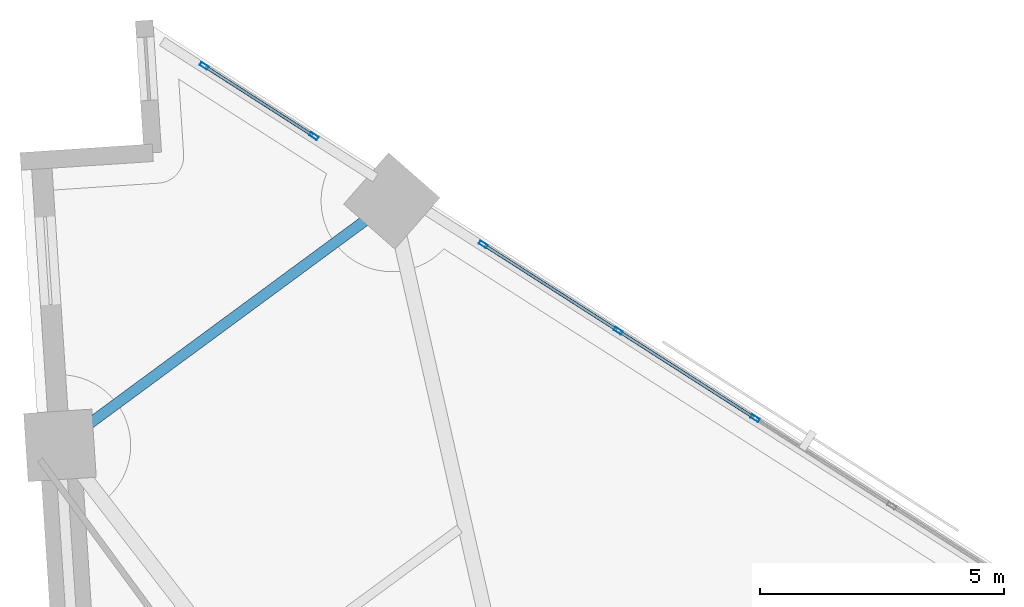
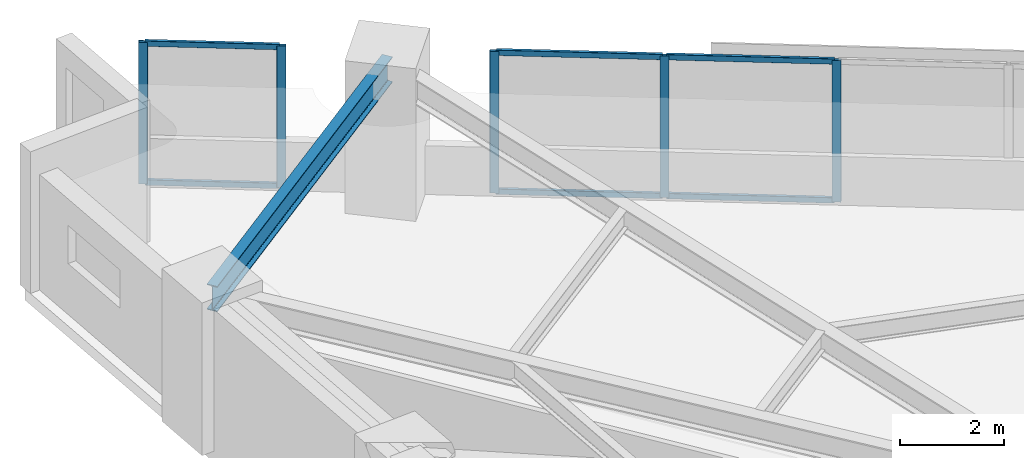
# One storey, part 9 of 16: 11 members, 1 beam, 2 elements without a shape of their own.
"""IFC4 building model written with IfcOpenShell, lengths in metres."""

from ifc_helpers import new_model, si_unit, direction, frame, origin, origin_2d, place, context, subcontext, project, spatial, hollow_rectangle, i_section, extrude, material, material_profile, profile_set, type_object, element, aggregate, save


model = new_model("IFC4")

# Units and contexts
model_context = context("Model", 3, precision=1e-05, world=origin(), true_north=direction((0.0, 1.0)))
body_context = subcontext(model_context, "Body", "Model", "MODEL_VIEW")
ifc_project = project(units=[si_unit("LENGTHUNIT", "METRE"), si_unit("AREAUNIT", "SQUARE_METRE"), si_unit("VOLUMEUNIT", "CUBIC_METRE"), si_unit("PLANEANGLEUNIT", "RADIAN"), si_unit("MASSUNIT", "GRAM", prefix="KILO")], contexts=[model_context])

# Site, building, storey
site_placement = place(None, origin())
site = spatial("IfcSite", under=ifc_project, at=site_placement, CompositionType="ELEMENT")
building_placement = place(site_placement, origin())
building = spatial("IfcBuilding", under=site, at=building_placement, Name="Narakoshi Arena Tower", CompositionType="ELEMENT")
storey_placement = place(building_placement, frame((0.0, 0.0, 88.5)))
storey = spatial("IfcBuildingStorey", under=building, at=storey_placement, Name="L23", CompositionType="ELEMENT", Elevation=88.5)

# Beam
ifc_material_1 = material(Name="Structural steel S355J2", Category="steel")
ifc_material_profile_1 = material_profile(ifc_material_1, i_section(OverallWidth=0.219970703125, OverallDepth=0.60009765625, WebThickness=0.011962890625, FlangeThickness=0.01904296875, FilletRadius=0.02392578125, at=origin_2d()), Name="IPE600")
ifc_profile_set_1 = profile_set([ifc_material_profile_1], Name="Structural steel S355J2")
beam_type = type_object("IfcBeamType", Name="BM-EDGE-600", PredefinedType="BEAM", material=ifc_profile_set_1)
beam_placement = place(storey_placement, frame((67.58984375, 76.04345703125, 3.0400390625), z_axis=(-0.805132069621, -0.59309556605, 0.0), x_axis=(0.59309556605, -0.805132069621, 0.0)))
element("IfcBeam", 1, at=beam_placement, inside=storey, type_object=beam_type, Name="L23 Perimeter Edge Girder 11", PredefinedType="BEAM", context=body_context, shape_type="SweptSolid", body=[
    extrude(i_section(OverallWidth=0.219970703125, OverallDepth=0.60009765625, WebThickness=0.011962890625, FlangeThickness=0.01904296875, FilletRadius=0.02392578125, at=origin_2d()), origin(), (0.0, 0.0, 1.0), 8.451416015625),
])

# Curtain wall, members
ifc_material_2 = material(Name="Anodised bronze aluminium 6063-T6", Category="aluminium")
curtain_wall_type = type_object("IfcCurtainWallType", Name="CW-HYP-LOW", PredefinedType="NOTDEFINED", material=ifc_material_2)
curtain_wall_1_placement = place(storey_placement, origin())
curtain_wall_1 = element("IfcCurtainWall", 2, at=curtain_wall_1_placement, inside=storey, type_object=curtain_wall_type, Name="L23 Folded Hypotenuse Curtain Wall 2-2", PredefinedType="NOTDEFINED")
ifc_material_profile_2 = material_profile(ifc_material_2, hollow_rectangle(XDim=0.074951171875, YDim=0.179931640625, WallThickness=0.00390625, OuterFilletRadius=0.0048828125, at=origin_2d()), Name="MUL180x75x4")
ifc_profile_set_2 = profile_set([ifc_material_profile_2], Name="Anodised bronze aluminium 6063-T6")
member_type_1 = type_object("IfcMemberType", Name="MEM-MUL-180", PredefinedType="MULLION", material=ifc_profile_set_2)
member_1_placement = place(storey_placement, frame((75.039794921875, 71.5869140625, 0.0), z_axis=(0.0, 0.0, 1.0), x_axis=(-0.538829098714, -0.842415100992, 0.0)))
member_1 = element("IfcMember", 3, at=member_1_placement, type_object=member_type_1, Name="CW-01 mullion 4", PredefinedType="MULLION", context=body_context, shape_type="SweptSolid", body=[
    extrude(hollow_rectangle(XDim=0.074951171875, YDim=0.179931640625, WallThickness=0.00390625, OuterFilletRadius=0.0048828125, at=origin_2d()), origin(), (0.0, 0.0, 1.0), 3.340087890625),
])
member_2_placement = place(storey_placement, frame((72.236083984375, 73.380126953125, 0.0), z_axis=(0.0, 0.0, 1.0), x_axis=(-0.538829098714, -0.842415100992, 0.0)))
member_2 = element("IfcMember", 4, at=member_2_placement, type_object=member_type_1, Name="CW-01 mullion 5", PredefinedType="MULLION", context=body_context, shape_type="SweptSolid", body=[
    extrude(hollow_rectangle(XDim=0.074951171875, YDim=0.179931640625, WallThickness=0.00390625, OuterFilletRadius=0.0048828125, at=origin_2d()), origin(), (0.0, 0.0, 1.0), 3.340087890625),
])
member_3_placement = place(storey_placement, frame((69.464111328125, 75.1533203125, 0.0), z_axis=(0.0, 0.0, 1.0), x_axis=(-0.538829098714, -0.842415100992, 0.0)))
member_3 = element("IfcMember", 5, at=member_3_placement, type_object=member_type_1, Name="CW-01 mullion 6", PredefinedType="MULLION", context=body_context, shape_type="SweptSolid", body=[
    extrude(hollow_rectangle(XDim=0.074951171875, YDim=0.179931640625, WallThickness=0.00390625, OuterFilletRadius=0.0048828125, at=origin_2d()), origin(), (0.0, 0.0, 1.0), 3.340087890625),
])

curtain_wall_2_placement = place(storey_placement, origin())
curtain_wall_2 = element("IfcCurtainWall", 6, at=curtain_wall_2_placement, inside=storey, type_object=curtain_wall_type, Name="L23 Folded Hypotenuse Curtain Wall 2-3", PredefinedType="NOTDEFINED")
member_4_placement = place(storey_placement, frame((65.99462890625, 77.372314453125, 0.0), z_axis=(0.0, 0.0, 1.0), x_axis=(-0.538841109017, -0.842407418791, 0.0)))
member_4 = element("IfcMember", 7, at=member_4_placement, type_object=member_type_1, Name="CW-01 mullion 1", PredefinedType="MULLION", context=body_context, shape_type="SweptSolid", body=[
    extrude(hollow_rectangle(XDim=0.074951171875, YDim=0.179931640625, WallThickness=0.00390625, OuterFilletRadius=0.0048828125, at=origin_2d()), origin(), (0.0, 0.0, 1.0), 3.340087890625),
])
member_5_placement = place(storey_placement, frame((63.7412109375, 78.813720703125, 0.0), z_axis=(0.0, 0.0, 1.0), x_axis=(-0.538841109017, -0.842407418791, 0.0)))
member_5 = element("IfcMember", 8, at=member_5_placement, type_object=member_type_1, Name="CW-01 mullion 2", PredefinedType="MULLION", context=body_context, shape_type="SweptSolid", body=[
    extrude(hollow_rectangle(XDim=0.074951171875, YDim=0.179931640625, WallThickness=0.00390625, OuterFilletRadius=0.0048828125, at=origin_2d()), origin(), (0.0, 0.0, 1.0), 3.340087890625),
])

# Member
ifc_material_profile_3 = material_profile(ifc_material_2, hollow_rectangle(XDim=0.06494140625, YDim=0.1298828125, WallThickness=0.00390625, OuterFilletRadius=0.0048828125, at=origin_2d()), Name="TRN130x65x4")
ifc_profile_set_3 = profile_set([ifc_material_profile_3], Name="Anodised bronze aluminium 6063-T6")
member_type_2 = type_object("IfcMemberType", Name="MEM-TRN-130", PredefinedType="USERDEFINED", material=ifc_profile_set_3)
member_6_placement = place(storey_placement, frame((75.00830078125, 71.60693359375, 0.032470703125), z_axis=(-0.842407668774, 0.5388407182, 0.0), x_axis=(-0.5388407182, -0.842407668774, 0.0)))
member_6 = element("IfcMember", 9, at=member_6_placement, type_object=member_type_2, Name="CW-01 transom 4.1", ObjectType="TRANSOM", PredefinedType="USERDEFINED", context=body_context, shape_type="SweptSolid", body=[
    extrude(hollow_rectangle(XDim=0.06494140625, YDim=0.1298828125, WallThickness=0.00390625, OuterFilletRadius=0.0048828125, at=origin_2d()), origin(), (0.0, 0.0, 1.0), 3.253173828125),
])

member_7_placement = place(storey_placement, frame((75.00830078125, 71.60693359375, 3.3076171875), z_axis=(-0.842407668774, 0.5388407182, 0.0), x_axis=(-0.5388407182, -0.842407668774, 0.0)))
member_7 = element("IfcMember", 10, at=member_7_placement, type_object=member_type_2, Name="CW-01 transom 4.2", ObjectType="TRANSOM", PredefinedType="USERDEFINED", context=body_context, shape_type="SweptSolid", body=[
    extrude(hollow_rectangle(XDim=0.06494140625, YDim=0.1298828125, WallThickness=0.00390625, OuterFilletRadius=0.0048828125, at=origin_2d()), origin(), (0.0, 0.0, 1.0), 3.253173828125),
])

member_8_placement = place(storey_placement, frame((72.20458984375, 73.400390625, 0.032470703125), z_axis=(-0.842424416084, 0.538814535053, 0.0), x_axis=(-0.538814535053, -0.842424416084, 0.0)))
member_8 = element("IfcMember", 11, at=member_8_placement, type_object=member_type_2, Name="CW-01 transom 5.1", ObjectType="TRANSOM", PredefinedType="USERDEFINED", context=body_context, shape_type="SweptSolid", body=[
    extrude(hollow_rectangle(XDim=0.06494140625, YDim=0.1298828125, WallThickness=0.00390625, OuterFilletRadius=0.0048828125, at=origin_2d()), origin(), (0.0, 0.0, 1.0), 3.2158203125),
])

member_9_placement = place(storey_placement, frame((72.20458984375, 73.400390625, 3.3076171875), z_axis=(-0.842424416084, 0.538814535053, 0.0), x_axis=(-0.538814535053, -0.842424416084, 0.0)))
member_9 = element("IfcMember", 12, at=member_9_placement, type_object=member_type_2, Name="CW-01 transom 5.2", ObjectType="TRANSOM", PredefinedType="USERDEFINED", context=body_context, shape_type="SweptSolid", body=[
    extrude(hollow_rectangle(XDim=0.06494140625, YDim=0.1298828125, WallThickness=0.00390625, OuterFilletRadius=0.0048828125, at=origin_2d()), origin(), (0.0, 0.0, 1.0), 3.2158203125),
])

aggregate(curtain_wall_1, [member_1, member_2, member_3, member_6, member_7, member_8, member_9])

member_10_placement = place(storey_placement, frame((65.963134765625, 77.392578125, 0.032470703125), z_axis=(-0.84237541022, 0.538891146946, 0.0), x_axis=(-0.538891146946, -0.84237541022, 0.0)))
member_10 = element("IfcMember", 13, at=member_10_placement, type_object=member_type_2, Name="CW-01 transom 1.1", ObjectType="TRANSOM", PredefinedType="USERDEFINED", context=body_context, shape_type="SweptSolid", body=[
    extrude(hollow_rectangle(XDim=0.06494140625, YDim=0.1298828125, WallThickness=0.00390625, OuterFilletRadius=0.0048828125, at=origin_2d()), origin(), (0.0, 0.0, 1.0), 2.60009765625),
])

member_11_placement = place(storey_placement, frame((65.963134765625, 77.392578125, 3.3076171875), z_axis=(-0.84237541022, 0.538891146946, 0.0), x_axis=(-0.538891146946, -0.84237541022, 0.0)))
member_11 = element("IfcMember", 14, at=member_11_placement, type_object=member_type_2, Name="CW-01 transom 1.2", ObjectType="TRANSOM", PredefinedType="USERDEFINED", context=body_context, shape_type="SweptSolid", body=[
    extrude(hollow_rectangle(XDim=0.06494140625, YDim=0.1298828125, WallThickness=0.00390625, OuterFilletRadius=0.0048828125, at=origin_2d()), origin(), (0.0, 0.0, 1.0), 2.60009765625),
])

aggregate(curtain_wall_2, [member_4, member_5, member_10, member_11])

save(model, "model.ifc")
